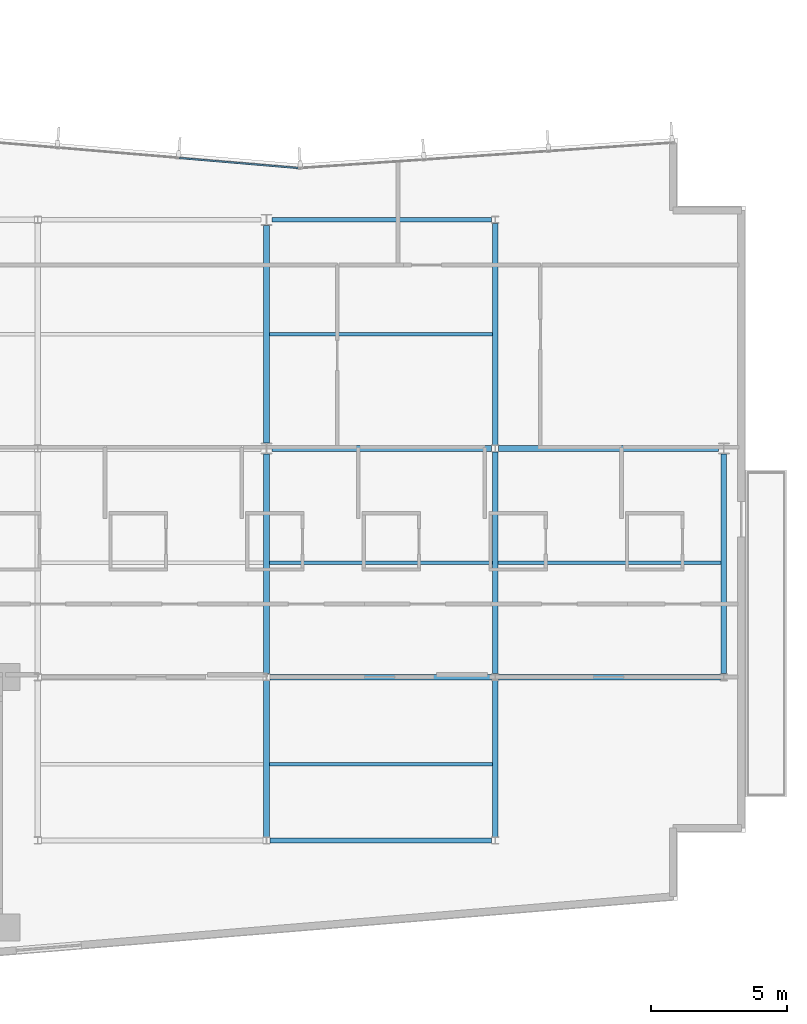
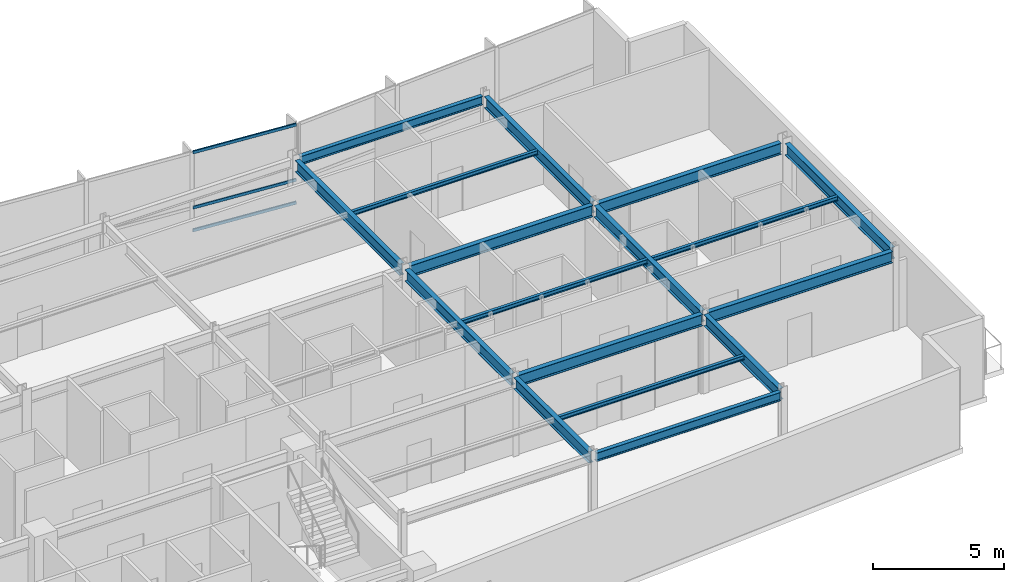
# One storey, part 6 of 15: 17 beams, 3 members, 1 element without a shape of its own.
"""IFC4 building model written with IfcOpenShell, lengths in metres."""

from ifc_helpers import new_model, si_unit, direction, frame, origin, origin_2d, place, context, subcontext, project, spatial, hollow_rectangle, i_section, extrude, material, layer, layer_set, material_profile, profile_set, type_object, element, aggregate, save


model = new_model("IFC4")

# Units and contexts
model_context = context("Model", 3, precision=1e-05, world=origin(), true_north=direction((0.0, 1.0)))
body_context = subcontext(model_context, "Body", "Model", "MODEL_VIEW")
ifc_project = project(units=[si_unit("LENGTHUNIT", "METRE"), si_unit("AREAUNIT", "SQUARE_METRE"), si_unit("VOLUMEUNIT", "CUBIC_METRE"), si_unit("PLANEANGLEUNIT", "RADIAN"), si_unit("MASSUNIT", "GRAM", prefix="KILO")], contexts=[model_context])

# Site, building, storey
site_placement = place(None, origin())
site = spatial("IfcSite", under=ifc_project, at=site_placement, CompositionType="ELEMENT")
building_placement = place(site_placement, origin())
building = spatial("IfcBuilding", under=site, at=building_placement, Name="Varnakote Quay Hospital", CompositionType="ELEMENT")
storey_placement = place(building_placement, frame((0.0, 0.0, 196.050048828125)))
storey = spatial("IfcBuildingStorey", under=building, at=storey_placement, Name="L48", CompositionType="ELEMENT", Elevation=196.050048828125)

# Beams
ifc_material_1 = material(Name="Structural steel AS/NZS 3679.1 Grade 350 L0 (fy 340 MPa)", Category="steel")
ifc_material_profile_1 = material_profile(ifc_material_1, i_section(OverallWidth=0.208984375, OverallDepth=0.532958984375, WebThickness=0.01025390625, FlangeThickness=0.015625, FilletRadius=0.013916015625, at=origin_2d()), Name="530UB92.4")
ifc_profile_set_1 = profile_set([ifc_material_profile_1], Name="Structural steel AS/NZS 3679.1 Grade 350 L0 (fy 340 MPa)")
beam_type_1 = type_object("IfcBeamType", Name="BM-STL-530UB92-4", PredefinedType="BEAM", material=ifc_profile_set_1)
for number, where, z_axis, x_axis, name in (
    (1, (33.72802734375, 12.0, 3.443359375), (1.0, 0.0, 0.0), (0.0, 1.0, 0.0), "L48 Primary Floor Beam"),
    (2, (42.1279296875, 12.0, 3.443359375), (1.0, 0.0, 0.0), (0.0, 1.0, 0.0), "L48 Primary Floor Beam"),
):
    element("IfcBeam", number, at=place(storey_placement, frame(where, z_axis=z_axis, x_axis=x_axis)), inside=storey, type_object=beam_type_1, Name=name, PredefinedType="BEAM", context=body_context, shape_type="SweptSolid", body=[
        extrude(i_section(OverallWidth=0.208984375, OverallDepth=0.532958984375, WebThickness=0.01025390625, FlangeThickness=0.015625, FilletRadius=0.013916015625, at=origin_2d()), origin(), (0.0, 0.0, 1.0), 8.14404296875),
    ])
for number, where, z_axis, x_axis, name in (
    (3, (33.800048828125, 20.39990234375, 3.443359375), (1.0, 0.0, 0.0), (0.0, 1.0, 0.0), "L48 Primary Floor Beam"),
    (4, (42.1279296875, 20.39990234375, 3.443359375), (1.0, 0.0, 0.0), (0.0, 1.0, 0.0), "L48 Primary Floor Beam"),
):
    element("IfcBeam", number, at=place(storey_placement, frame(where, z_axis=z_axis, x_axis=x_axis)), inside=storey, type_object=beam_type_1, Name=name, PredefinedType="BEAM", context=body_context, shape_type="SweptSolid", body=[
        extrude(i_section(OverallWidth=0.208984375, OverallDepth=0.532958984375, WebThickness=0.01025390625, FlangeThickness=0.015625, FilletRadius=0.013916015625, at=origin_2d()), origin(), (0.0, 0.0, 1.0), 8.072021484375),
    ])
beam_1_placement = place(storey_placement, frame((33.60009765625, 6.1298828125, 3.443359375), z_axis=(0.0, 1.0, 0.0), x_axis=(-1.0, 0.0, 0.0)))
element("IfcBeam", 5, at=beam_1_placement, inside=storey, type_object=beam_type_1, Name="L48 Primary Tie Beam", PredefinedType="BEAM", context=body_context, shape_type="SweptSolid", body=[
    extrude(i_section(OverallWidth=0.208984375, OverallDepth=0.532958984375, WebThickness=0.01025390625, FlangeThickness=0.015625, FilletRadius=0.013916015625, at=origin_2d()), origin(), (0.0, 0.0, 1.0), 5.740234375),
])
beam_2_placement = place(storey_placement, frame((33.60009765625, 12.1298828125, 3.443359375), z_axis=(0.0, 1.0, 0.0), x_axis=(-1.0, 0.0, 0.0)))
element("IfcBeam", 6, at=beam_2_placement, inside=storey, type_object=beam_type_1, Name="L48 Primary Tie Beam", PredefinedType="BEAM", context=body_context, shape_type="SweptSolid", body=[
    extrude(i_section(OverallWidth=0.208984375, OverallDepth=0.532958984375, WebThickness=0.01025390625, FlangeThickness=0.015625, FilletRadius=0.013916015625, at=origin_2d()), origin(), (0.0, 0.0, 1.0), 8.068115234375),
])
beam_3_placement = place(storey_placement, frame((33.60009765625, 20.60205078125, 3.443359375), z_axis=(0.0, 1.0, 0.0), x_axis=(-1.0, 0.0, 0.0)))
element("IfcBeam", 7, at=beam_3_placement, inside=storey, type_object=beam_type_1, Name="L48 Primary Tie Beam", PredefinedType="BEAM", context=body_context, shape_type="SweptSolid", body=[
    extrude(i_section(OverallWidth=0.208984375, OverallDepth=0.532958984375, WebThickness=0.01025390625, FlangeThickness=0.015625, FilletRadius=0.013916015625, at=origin_2d()), origin(), (0.0, 0.0, 1.0), 7.995849609375),
])
beam_4_placement = place(storey_placement, frame((42.0, 6.1298828125, 3.443359375), z_axis=(0.0, 1.0, 0.0), x_axis=(-1.0, 0.0, 0.0)))
element("IfcBeam", 8, at=beam_4_placement, inside=storey, type_object=beam_type_1, Name="L48 Primary Tie Beam", PredefinedType="BEAM", context=body_context, shape_type="SweptSolid", body=[
    extrude(i_section(OverallWidth=0.208984375, OverallDepth=0.532958984375, WebThickness=0.01025390625, FlangeThickness=0.015625, FilletRadius=0.013916015625, at=origin_2d()), origin(), (0.0, 0.0, 1.0), 5.740234375),
])
beam_5_placement = place(storey_placement, frame((42.0, 12.1298828125, 3.443359375), z_axis=(0.0, 1.0, 0.0), x_axis=(-1.0, 0.0, 0.0)))
element("IfcBeam", 9, at=beam_5_placement, inside=storey, type_object=beam_type_1, Name="L48 Primary Tie Beam", PredefinedType="BEAM", context=body_context, shape_type="SweptSolid", body=[
    extrude(i_section(OverallWidth=0.208984375, OverallDepth=0.532958984375, WebThickness=0.01025390625, FlangeThickness=0.015625, FilletRadius=0.013916015625, at=origin_2d()), origin(), (0.0, 0.0, 1.0), 8.14013671875),
])
beam_6_placement = place(storey_placement, frame((42.0, 20.530029296875, 3.443359375), z_axis=(0.0, 1.0, 0.0), x_axis=(-1.0, 0.0, 0.0)))
element("IfcBeam", 10, at=beam_6_placement, inside=storey, type_object=beam_type_1, Name="L48 Primary Tie Beam", PredefinedType="BEAM", context=body_context, shape_type="SweptSolid", body=[
    extrude(i_section(OverallWidth=0.208984375, OverallDepth=0.532958984375, WebThickness=0.01025390625, FlangeThickness=0.015625, FilletRadius=0.013916015625, at=origin_2d()), origin(), (0.0, 0.0, 1.0), 8.139892578125),
])
beam_7_placement = place(storey_placement, frame((50.39990234375, 12.1298828125, 3.443359375), z_axis=(0.0, 1.0, 0.0), x_axis=(-1.0, 0.0, 0.0)))
element("IfcBeam", 11, at=beam_7_placement, inside=storey, type_object=beam_type_1, Name="L48 Primary Tie Beam", PredefinedType="BEAM", context=body_context, shape_type="SweptSolid", body=[
    extrude(i_section(OverallWidth=0.208984375, OverallDepth=0.532958984375, WebThickness=0.01025390625, FlangeThickness=0.015625, FilletRadius=0.013916015625, at=origin_2d()), origin(), (0.0, 0.0, 1.0), 8.068115234375),
])

# Curtain wall, members
ifc_material_2 = material(Name="Anodised aluminium 6063-T6 Bronze", Category="aluminium")
ifc_layer = layer(ifc_material_2, 0.219970703125)
ifc_layer_set = layer_set([ifc_layer], Name="Anodised aluminium 6063-T6 Bronze")
curtain_wall_type = type_object("IfcCurtainWallType", Name="CW-SYS-4", PredefinedType="NOTDEFINED", material=ifc_layer_set)
curtain_wall_placement = place(storey_placement, origin())
curtain_wall = element("IfcCurtainWall", 12, at=curtain_wall_placement, inside=storey, type_object=curtain_wall_type, Name="L48 Unitised Bronze Curtain Wall 2", PredefinedType="NOTDEFINED")
ifc_material_3 = material(Name="Anodised aluminium 6063-T6 Bronze", Category="aluminium")
ifc_material_profile_2 = material_profile(ifc_material_3, hollow_rectangle(XDim=0.06494140625, YDim=0.139892578125, WallThickness=0.00390625, InnerFilletRadius=0.00390625, OuterFilletRadius=0.007568359375, at=origin_2d()), Name="CW-TRAN-140x65")
ifc_profile_set_2 = profile_set([ifc_material_profile_2], Name="Anodised aluminium 6063-T6 Bronze")
member_type = type_object("IfcMemberType", Name="CW-TRAN-140x65", PredefinedType="USERDEFINED", material=ifc_profile_set_2)
member_1_placement = place(storey_placement, frame((34.75, 30.700927734375, 0.032470703125), z_axis=(-0.996453440464, 0.084145950507, 0.0), x_axis=(-0.084145950507, -0.996453440464, 0.0)))
member_1 = element("IfcMember", 13, at=member_1_placement, type_object=member_type, Name="-4-L48-2 transom 1.1", ObjectType="TRANSOM", PredefinedType="USERDEFINED", context=body_context, shape_type="SweptSolid", body=[
    extrude(hollow_rectangle(XDim=0.06494140625, YDim=0.139892578125, WallThickness=0.00390625, InnerFilletRadius=0.00390625, OuterFilletRadius=0.007568359375, at=origin_2d()), origin(), (0.0, 0.0, 1.0), 4.369384765625),
])
member_2_placement = place(storey_placement, frame((34.75, 30.700927734375, 1.099853515625), z_axis=(-0.996453440464, 0.084145950507, 0.0), x_axis=(-0.084145950507, -0.996453440464, 0.0)))
member_2 = element("IfcMember", 14, at=member_2_placement, type_object=member_type, Name="-4-L48-2 transom 1.2", ObjectType="TRANSOM", PredefinedType="USERDEFINED", context=body_context, shape_type="SweptSolid", body=[
    extrude(hollow_rectangle(XDim=0.06494140625, YDim=0.139892578125, WallThickness=0.00390625, InnerFilletRadius=0.00390625, OuterFilletRadius=0.007568359375, at=origin_2d()), origin(), (0.0, 0.0, 1.0), 4.369384765625),
])
member_3_placement = place(storey_placement, frame((34.75, 30.700927734375, 3.677490234375), z_axis=(-0.996453440464, 0.084145950507, 0.0), x_axis=(-0.084145950507, -0.996453440464, 0.0)))
member_3 = element("IfcMember", 15, at=member_3_placement, type_object=member_type, Name="-4-L48-2 transom 1.3", ObjectType="TRANSOM", PredefinedType="USERDEFINED", context=body_context, shape_type="SweptSolid", body=[
    extrude(hollow_rectangle(XDim=0.06494140625, YDim=0.139892578125, WallThickness=0.00390625, InnerFilletRadius=0.00390625, OuterFilletRadius=0.007568359375, at=origin_2d()), origin(), (0.0, 0.0, 1.0), 4.369384765625),
])
aggregate(curtain_wall, [member_1, member_2, member_3])

# Beams
ifc_material_4 = material(Name="Structural steel AS/NZS 3679.1 Grade 350 L0 (fy 340 MPa)", Category="steel")
ifc_material_profile_3 = material_profile(ifc_material_4, i_section(OverallWidth=0.134033203125, OverallDepth=0.20703125, WebThickness=0.00634765625, FlangeThickness=0.009521484375, FilletRadius=0.0087890625, at=origin_2d()), Name="200UB29.8")
ifc_profile_set_3 = profile_set([ifc_material_profile_3], Name="Structural steel AS/NZS 3679.1 Grade 350 L0 (fy 340 MPa)")
beam_type_2 = type_object("IfcBeamType", Name="JST-STL-200UB29-8", PredefinedType="JOIST", material=ifc_profile_set_3)
for number, where, z_axis, x_axis, name in (
    (16, (33.70458984375, 8.800048828125, 3.6064453125), (1.0, 0.0, 0.0), (0.0, 1.0, 0.0), "L48 Composite Floor Joist"),
    (17, (33.70458984375, 16.199951171875, 3.6064453125), (1.0, 0.0, 0.0), (0.0, 1.0, 0.0), "L48 Composite Floor Joist"),
    (18, (42.1044921875, 16.199951171875, 3.6064453125), (1.0, 0.0, 0.0), (0.0, 1.0, 0.0), "L48 Composite Floor Joist"),
    (19, (33.70458984375, 24.60009765625, 3.6064453125), (1.0, 0.0, 0.0), (0.0, 1.0, 0.0), "L48 Composite Floor Joist"),
):
    element("IfcBeam", number, at=place(storey_placement, frame(where, z_axis=z_axis, x_axis=x_axis)), inside=storey, type_object=beam_type_2, Name=name, PredefinedType="JOIST", context=body_context, shape_type="SweptSolid", body=[
        extrude(i_section(OverallWidth=0.134033203125, OverallDepth=0.20703125, WebThickness=0.00634765625, FlangeThickness=0.009521484375, FilletRadius=0.0087890625, at=origin_2d()), origin(), (0.0, 0.0, 1.0), 8.19091796875),
    ])
ifc_material_5 = material(Name="Structural steel AS/NZS 3679.1 Grade 350 L0 (fy 340 MPa)", Category="steel")
ifc_material_profile_4 = material_profile(ifc_material_5, i_section(OverallWidth=0.177978515625, OverallDepth=0.406005859375, WebThickness=0.0078125, FlangeThickness=0.0126953125, FilletRadius=0.011474609375, at=origin_2d()), Name="410UB59.7")
ifc_profile_set_4 = profile_set([ifc_material_profile_4], Name="Structural steel AS/NZS 3679.1 Grade 350 L0 (fy 340 MPa)")
beam_type_3 = type_object("IfcBeamType", Name="SPN-STL-410UB59-7", PredefinedType="SPANDREL", material=ifc_profile_set_4)
beam_8_placement = place(storey_placement, frame((33.72802734375, 6.0, 3.5068359375), z_axis=(1.0, 0.0, 0.0), x_axis=(0.0, 1.0, 0.0)))
element("IfcBeam", 20, at=beam_8_placement, inside=storey, type_object=beam_type_3, Name="L48 Perimeter Spandrel Beam", PredefinedType="SPANDREL", context=body_context, shape_type="SweptSolid", body=[
    extrude(i_section(OverallWidth=0.177978515625, OverallDepth=0.406005859375, WebThickness=0.0078125, FlangeThickness=0.0126953125, FilletRadius=0.011474609375, at=origin_2d()), origin(), (0.0, 0.0, 1.0), 8.14404296875),
])
beam_9_placement = place(storey_placement, frame((33.800048828125, 28.800048828125, 3.5068359375), z_axis=(1.0, 0.0, 0.0), x_axis=(0.0, 1.0, 0.0)))
element("IfcBeam", 21, at=beam_9_placement, inside=storey, type_object=beam_type_3, Name="L48 Perimeter Spandrel Beam", PredefinedType="SPANDREL", context=body_context, shape_type="SweptSolid", body=[
    extrude(i_section(OverallWidth=0.177978515625, OverallDepth=0.406005859375, WebThickness=0.0078125, FlangeThickness=0.0126953125, FilletRadius=0.011474609375, at=origin_2d()), origin(), (0.0, 0.0, 1.0), 8.072021484375),
])

save(model, "model.ifc")
